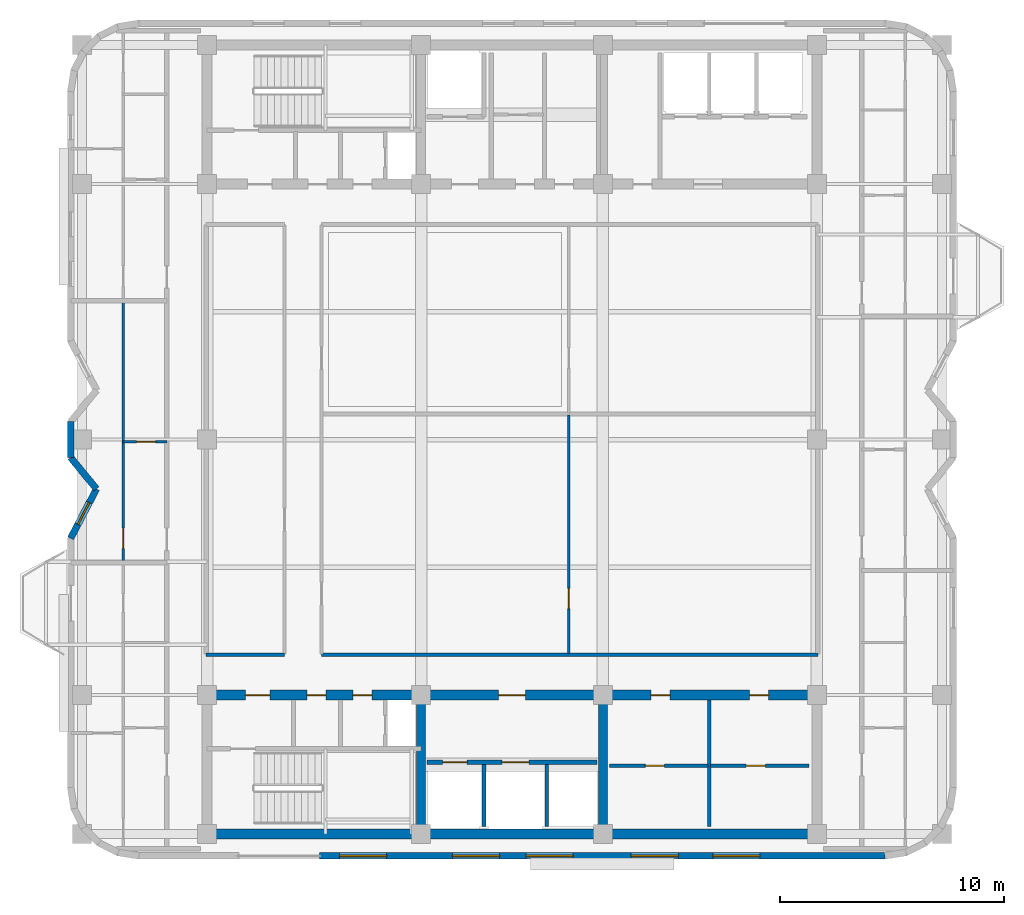
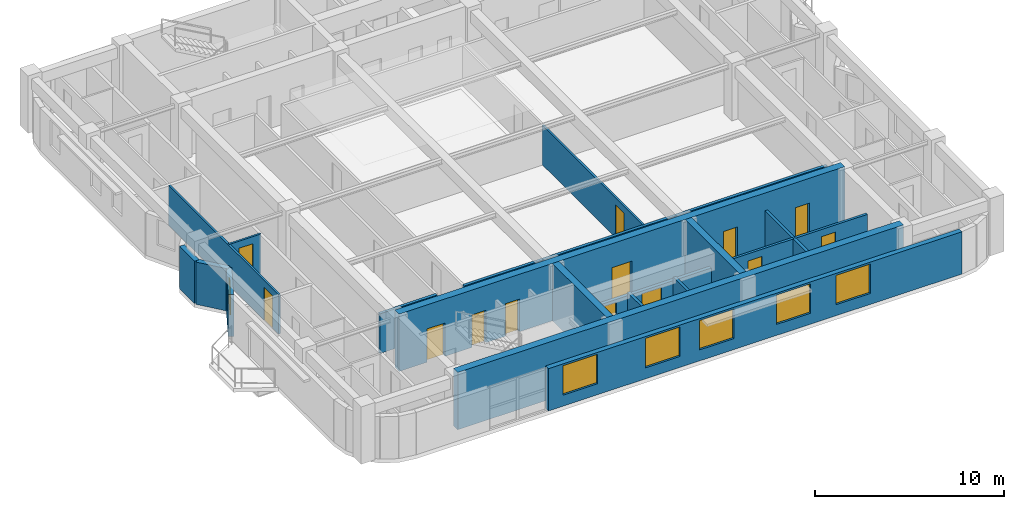
# One storey, part 6 of 12: 19 walls, 13 doors, 6 windows, 19 openings.
"""IFC4 building model written with IfcOpenShell, lengths in metres."""

from ifc_helpers import new_model, si_unit, direction, frame, frame_2d, origin, place, context, subcontext, project, spatial, rectangle, extrude, material, layer, layer_set, type_object, element, fill, save


model = new_model("IFC4")

# Units and contexts
model_context = context("Model", 3, precision=1e-05, world=origin(), true_north=direction((0.0, 1.0)))
body_context = subcontext(model_context, "Body", "Model", "MODEL_VIEW")
ifc_project = project(units=[si_unit("LENGTHUNIT", "METRE"), si_unit("AREAUNIT", "SQUARE_METRE"), si_unit("VOLUMEUNIT", "CUBIC_METRE"), si_unit("PLANEANGLEUNIT", "RADIAN"), si_unit("MASSUNIT", "GRAM", prefix="KILO")], contexts=[model_context])

# Site, building, storey
site_placement = place(None, origin())
site = spatial("IfcSite", under=ifc_project, at=site_placement, CompositionType="ELEMENT")
building_placement = place(site_placement, origin())
building = spatial("IfcBuilding", under=site, at=building_placement, Name="Svetorya Sky Lyceum", CompositionType="ELEMENT")
storey_placement = place(building_placement, frame((0.0, 0.0, 236.89990234375)))
storey = spatial("IfcBuildingStorey", under=building, at=storey_placement, Name="L59", CompositionType="ELEMENT", Elevation=236.89990234375)

# Walls
ifc_material_1 = material(Name="Concrete C40/50", Category="concrete")
ifc_layer_1 = layer(ifc_material_1, 0.39990234375)
ifc_layer_set_1 = layer_set([ifc_layer_1], Name="Concrete C40/50")
wall_type_1 = type_object("IfcWallType", Name="WL-CORE-400", PredefinedType="SHEAR", material=ifc_layer_set_1)
for number, where, z_axis, x_axis, name in (
    (1, (35.14990234375, 10.824951171875, 0.0), (0.0, 0.0, 1.0), (0.0, 1.0, 0.0), "L59 SC Internal Shear Web WEB1"),
    (2, (43.25, 10.824951171875, 0.0), (0.0, 0.0, 1.0), (0.0, 1.0, 0.0), "L59 SC Internal Shear Web WEB2"),
):
    element("IfcWall", number, at=place(storey_placement, frame(where, z_axis=z_axis, x_axis=x_axis)), inside=storey, type_object=wall_type_1, Name=name, PredefinedType="SHEAR", context=body_context, shape_type="SweptSolid", body=[
        extrude(rectangle(XDim=5.75, YDim=0.39990234375, at=frame_2d((2.875, 0.0))), origin(), (0.0, 0.0, 1.0), 3.7001953125),
    ])
ifc_material_2 = material(Name="Concrete C50/60", Category="concrete")
ifc_layer_2 = layer(ifc_material_2, 0.449951171875)
ifc_layer_set_2 = layer_set([ifc_layer_2], Name="Concrete C50/60")
wall_type_2 = type_object("IfcWallType", Name="WL-CORE-450", PredefinedType="SHEAR", material=ifc_layer_set_2)
wall_1_placement = place(storey_placement, frame((52.800048828125, 10.60009765625, 0.0), z_axis=(0.0, 0.0, 1.0), x_axis=(-1.0, 0.0, 0.0)))
element("IfcWall", 3, at=wall_1_placement, inside=storey, type_object=wall_type_2, Name="L59 SC Outer Core Shear Wall", PredefinedType="SHEAR", context=body_context, shape_type="SweptSolid", body=[
    extrude(rectangle(XDim=27.199951171875, YDim=0.449951171875, at=frame_2d((13.60009765625, 0.0))), origin(), (0.0, 0.0, 1.0), 3.7001953125),
])

# Wall, openings, doors
wall_2_placement = place(storey_placement, frame((25.60009765625, 16.800048828125, 0.0), z_axis=(0.0, 0.0, 1.0), x_axis=(1.0, 0.0, 0.0)))
wall_2 = element("IfcWall", 4, at=wall_2_placement, inside=storey, type_object=wall_type_2, Name="L59 SC Inner Core Shear Wall", PredefinedType="SHEAR", context=body_context, shape_type="SweptSolid", body=[
    extrude(rectangle(XDim=27.199951171875, YDim=0.449951171875, at=frame_2d((13.60009765625, 0.0))), origin(), (0.0, 0.0, 1.0), 3.7001953125),
])
opening_1_placement = place(wall_2_placement, frame((1.699951171875, 0.0, 0.0)))
opening_1 = element("IfcOpeningElement", 5, at=opening_1_placement, cuts=wall_2, Name="Opening D-ST1", PredefinedType="OPENING", context=body_context, shape_type="SweptSolid", body=[
    extrude(rectangle(XDim=1.10009765625, YDim=2.14990234375, at=frame_2d((0.550048828125, 1.074951171875))), frame((0.0, 0.23486328125, 0.0), z_axis=(0.0, -1.0, 0.0), x_axis=(1.0, 0.0, 0.0)), (0.0, 0.0, 1.0), 0.469970703125),
])
opening_2_placement = place(wall_2_placement, frame((4.449951171875, 0.0, 0.0)))
opening_2 = element("IfcOpeningElement", 6, at=opening_2_placement, cuts=wall_2, Name="Opening D-CWC1", PredefinedType="OPENING", context=body_context, shape_type="SweptSolid", body=[
    extrude(rectangle(XDim=0.85009765625, YDim=2.10009765625, at=frame_2d((0.425048828125, 1.050048828125))), frame((0.0, 0.23486328125, 0.0), z_axis=(0.0, -1.0, 0.0), x_axis=(1.0, 0.0, 0.0)), (0.0, 0.0, 1.0), 0.469970703125),
])
opening_3_placement = place(wall_2_placement, frame((6.5, 0.0, 0.0)))
opening_3 = element("IfcOpeningElement", 7, at=opening_3_placement, cuts=wall_2, Name="Opening D-CWC1", PredefinedType="OPENING", context=body_context, shape_type="SweptSolid", body=[
    extrude(rectangle(XDim=0.85009765625, YDim=2.10009765625, at=frame_2d((0.425048828125, 1.050048828125))), frame((0.0, 0.23486328125, 0.0), z_axis=(0.0, -1.0, 0.0), x_axis=(1.0, 0.0, 0.0)), (0.0, 0.0, 1.0), 0.469970703125),
])
opening_4_placement = place(wall_2_placement, frame((13.0, 0.0, 0.0)))
opening_4 = element("IfcOpeningElement", 8, at=opening_4_placement, cuts=wall_2, Name="Opening D-FL1", PredefinedType="OPENING", context=body_context, shape_type="SweptSolid", body=[
    extrude(rectangle(XDim=1.199951171875, YDim=2.14990234375, at=frame_2d((0.60009765625, 1.074951171875))), frame((0.0, 0.23486328125, 0.0), z_axis=(0.0, -1.0, 0.0), x_axis=(1.0, 0.0, 0.0)), (0.0, 0.0, 1.0), 0.469970703125),
])
opening_5_placement = place(wall_2_placement, frame((19.800048828125, 0.0, 0.0)))
opening_5 = element("IfcOpeningElement", 9, at=opening_5_placement, cuts=wall_2, Name="Opening D-CWC1", PredefinedType="OPENING", context=body_context, shape_type="SweptSolid", body=[
    extrude(rectangle(XDim=0.85009765625, YDim=2.10009765625, at=frame_2d((0.425048828125, 1.050048828125))), frame((0.0, 0.23486328125, 0.0), z_axis=(0.0, -1.0, 0.0), x_axis=(1.0, 0.0, 0.0)), (0.0, 0.0, 1.0), 0.469970703125),
])
opening_6_placement = place(wall_2_placement, frame((24.199951171875, 0.0, 0.0)))
opening_6 = element("IfcOpeningElement", 10, at=opening_6_placement, cuts=wall_2, Name="Opening D-CWC1", PredefinedType="OPENING", context=body_context, shape_type="SweptSolid", body=[
    extrude(rectangle(XDim=0.85009765625, YDim=2.10009765625, at=frame_2d((0.425048828125, 1.050048828125))), frame((0.0, 0.23486328125, 0.0), z_axis=(0.0, -1.0, 0.0), x_axis=(1.0, 0.0, 0.0)), (0.0, 0.0, 1.0), 0.469970703125),
])
ifc_material_3 = material(Name="Fire-rated galvanized steel core service closet door", Category="steel")
door_type_1 = type_object("IfcDoorType", Name="DR-CWET-850", OperationType="SINGLE_SWING_LEFT", PredefinedType="DOOR", material=ifc_material_3)
door_1_placement = place(opening_2_placement, origin())
door_1 = element("IfcDoor", 11, at=door_1_placement, inside=storey, type_object=door_type_1, Name="L59 South Mop Closet Door", OperationType="SINGLE_SWING_LEFT", OverallHeight=2.10009765625, OverallWidth=0.85009765625, PredefinedType="DOOR", context=body_context, shape_type="SweptSolid", body=[
    extrude(rectangle(XDim=0.85009765625, YDim=2.10009765625, at=frame_2d((0.425048828125, 1.050048828125))), frame((0.0, 0.02490234375, 0.0), z_axis=(0.0, -1.0, 0.0), x_axis=(1.0, 0.0, 0.0)), (0.0, 0.0, 1.0), 0.050048828125),
])
fill(opening_2, door_1)
door_2_placement = place(opening_3_placement, origin())
door_2 = element("IfcDoor", 12, at=door_2_placement, inside=storey, type_object=door_type_1, Name="L59 South West WC Door", OperationType="SINGLE_SWING_RIGHT", OverallHeight=2.10009765625, OverallWidth=0.85009765625, PredefinedType="DOOR", context=body_context, shape_type="SweptSolid", body=[
    extrude(rectangle(XDim=0.85009765625, YDim=2.10009765625, at=frame_2d((0.425048828125, 1.050048828125))), frame((0.0, 0.02490234375, 0.0), z_axis=(0.0, -1.0, 0.0), x_axis=(1.0, 0.0, 0.0)), (0.0, 0.0, 1.0), 0.050048828125),
])
fill(opening_3, door_2)
door_3_placement = place(opening_5_placement, origin())
door_3 = element("IfcDoor", 13, at=door_3_placement, inside=storey, type_object=door_type_1, Name="L59 Housekeeping Door", OperationType="SINGLE_SWING_LEFT", OverallHeight=2.10009765625, OverallWidth=0.85009765625, PredefinedType="DOOR", context=body_context, shape_type="SweptSolid", body=[
    extrude(rectangle(XDim=0.85009765625, YDim=2.10009765625, at=frame_2d((0.425048828125, 1.050048828125))), frame((0.0, 0.02490234375, 0.0), z_axis=(0.0, -1.0, 0.0), x_axis=(1.0, 0.0, 0.0)), (0.0, 0.0, 1.0), 0.050048828125),
])
fill(opening_5, door_3)
door_4_placement = place(opening_6_placement, origin())
door_4 = element("IfcDoor", 14, at=door_4_placement, inside=storey, type_object=door_type_1, Name="L59 South WC Door", OperationType="SINGLE_SWING_RIGHT", OverallHeight=2.10009765625, OverallWidth=0.85009765625, PredefinedType="DOOR", context=body_context, shape_type="SweptSolid", body=[
    extrude(rectangle(XDim=0.85009765625, YDim=2.10009765625, at=frame_2d((0.425048828125, 1.050048828125))), frame((0.0, 0.02490234375, 0.0), z_axis=(0.0, -1.0, 0.0), x_axis=(1.0, 0.0, 0.0)), (0.0, 0.0, 1.0), 0.050048828125),
])
fill(opening_6, door_4)
ifc_material_4 = material(Name="Powder-coated insulated galvanized stair fire door")
door_type_2 = type_object("IfcDoorType", Name="DR-FIRE-1100", OperationType="SINGLE_SWING_LEFT", PredefinedType="DOOR", material=ifc_material_4)
door_5_placement = place(opening_1_placement, origin())
door_5 = element("IfcDoor", 15, at=door_5_placement, inside=storey, type_object=door_type_2, Name="L59 South Stair Airlock Door", OperationType="SINGLE_SWING_RIGHT", OverallHeight=2.14990234375, OverallWidth=1.10009765625, PredefinedType="DOOR", context=body_context, shape_type="SweptSolid", body=[
    extrude(rectangle(XDim=1.10009765625, YDim=2.14990234375, at=frame_2d((0.550048828125, 1.074951171875))), frame((0.0, 0.02490234375, 0.0), z_axis=(0.0, -1.0, 0.0), x_axis=(1.0, 0.0, 0.0)), (0.0, 0.0, 1.0), 0.050048828125),
])
fill(opening_1, door_5)
ifc_material_5 = material(Name="Powder-coated insulated galvanized fire door")
door_type_3 = type_object("IfcDoorType", Name="DR-FIRE-1200", OperationType="SINGLE_SWING_LEFT", PredefinedType="DOOR", material=ifc_material_5)
door_6_placement = place(opening_4_placement, origin())
door_6 = element("IfcDoor", 16, at=door_6_placement, inside=storey, type_object=door_type_3, Name="L59 South Firefighting Lift Lobby Door", OperationType="SINGLE_SWING_LEFT", OverallHeight=2.14990234375, OverallWidth=1.199951171875, PredefinedType="DOOR", context=body_context, shape_type="SweptSolid", body=[
    extrude(rectangle(XDim=1.199951171875, YDim=2.14990234375, at=frame_2d((0.60009765625, 1.074951171875))), frame((0.0, 0.02490234375, 0.0), z_axis=(0.0, -1.0, 0.0), x_axis=(1.0, 0.0, 0.0)), (0.0, 0.0, 1.0), 0.050048828125),
])
fill(opening_4, door_6)

# Wall, openings, windows
ifc_material_6 = material(Name="Putilovo limestone rainscreen on autoclaved cellular masonry", Category="masonry")
ifc_layer_3 = layer(ifc_material_6, 0.300048828125)
ifc_layer_set_3 = layer_set([ifc_layer_3], Name="Putilovo limestone rainscreen on autoclaved cellular masonry")
wall_type_3 = type_object("IfcWallType", Name="WL-EXT-300", PredefinedType="SOLIDWALL", material=ifc_layer_set_3)
wall_3_placement = place(storey_placement, frame((30.610107421875, 9.6298828125, 0.0), z_axis=(0.0, 0.0, 1.0), x_axis=(1.0, 0.0, 0.0)))
wall_3 = element("IfcWall", 17, at=wall_3_placement, inside=storey, type_object=wall_type_3, Name="L59 Limestone Exterior Wall 6B", PredefinedType="SOLIDWALL", context=body_context, shape_type="SweptSolid", body=[
    extrude(rectangle(XDim=25.22998046875, YDim=0.300048828125, at=frame_2d((12.614990234375, 0.0))), origin(), (0.0, 0.0, 1.0), 2.72998046875),
])
opening_7_placement = place(wall_3_placement, frame((0.894287109375, 0.0, 0.7099609375)))
opening_7 = element("IfcOpeningElement", 18, at=opening_7_placement, cuts=wall_3, Name="Opening W-R0", PredefinedType="OPENING", context=body_context, shape_type="SweptSolid", body=[
    extrude(rectangle(XDim=2.10009765625, YDim=1.89990234375, at=frame_2d((1.050048828125, 0.949951171875))), frame((0.0, 0.159912109375, 0.0), z_axis=(0.0, -1.0, 0.0), x_axis=(1.0, 0.0, 0.0)), (0.0, 0.0, 1.0), 0.320068359375),
])
opening_8_placement = place(wall_3_placement, frame((5.9326171875, 0.0, 0.7099609375)))
opening_8 = element("IfcOpeningElement", 19, at=opening_8_placement, cuts=wall_3, Name="Opening W-R0", PredefinedType="OPENING", context=body_context, shape_type="SweptSolid", body=[
    extrude(rectangle(XDim=2.10009765625, YDim=1.89990234375, at=frame_2d((1.050048828125, 0.949951171875))), frame((0.0, 0.159912109375, 0.0), z_axis=(0.0, -1.0, 0.0), x_axis=(1.0, 0.0, 0.0)), (0.0, 0.0, 1.0), 0.320068359375),
])
opening_9_placement = place(wall_3_placement, frame((9.220703125, 0.0, 0.7099609375)))
opening_9 = element("IfcOpeningElement", 20, at=opening_9_placement, cuts=wall_3, Name="Opening W-R0", PredefinedType="OPENING", context=body_context, shape_type="SweptSolid", body=[
    extrude(rectangle(XDim=2.10009765625, YDim=1.89990234375, at=frame_2d((1.050048828125, 0.949951171875))), frame((0.0, 0.159912109375, 0.0), z_axis=(0.0, -1.0, 0.0), x_axis=(1.0, 0.0, 0.0)), (0.0, 0.0, 1.0), 0.320068359375),
])
opening_10_placement = place(wall_3_placement, frame((13.9091796875, 0.0, 0.7099609375)))
opening_10 = element("IfcOpeningElement", 21, at=opening_10_placement, cuts=wall_3, Name="Opening W-R0", PredefinedType="OPENING", context=body_context, shape_type="SweptSolid", body=[
    extrude(rectangle(XDim=2.10009765625, YDim=1.89990234375, at=frame_2d((1.050048828125, 0.949951171875))), frame((0.0, 0.159912109375, 0.0), z_axis=(0.0, -1.0, 0.0), x_axis=(1.0, 0.0, 0.0)), (0.0, 0.0, 1.0), 0.320068359375),
])
opening_11_placement = place(wall_3_placement, frame((17.547607421875, 0.0, 0.7099609375)))
opening_11 = element("IfcOpeningElement", 22, at=opening_11_placement, cuts=wall_3, Name="Opening W-R0", PredefinedType="OPENING", context=body_context, shape_type="SweptSolid", body=[
    extrude(rectangle(XDim=2.10009765625, YDim=1.89990234375, at=frame_2d((1.050048828125, 0.949951171875))), frame((0.0, 0.159912109375, 0.0), z_axis=(0.0, -1.0, 0.0), x_axis=(1.0, 0.0, 0.0)), (0.0, 0.0, 1.0), 0.320068359375),
])
ifc_material_7 = material(Name="Thermally broken aluminium frame with triple low-E glazing", Category="aluminium")
window_type_1 = type_object("IfcWindowType", Name="WN-RES-210", PartitioningType="TRIPLE_PANEL_VERTICAL", PredefinedType="WINDOW", material=ifc_material_7)
window_1_placement = place(opening_7_placement, origin())
window_1 = element("IfcWindow", 23, at=window_1_placement, inside=storey, type_object=window_type_1, Name="L59 Facade Window W-R0.6B.1", OverallHeight=1.89990234375, OverallWidth=2.10009765625, PartitioningType="SINGLE_PANEL", PredefinedType="WINDOW", context=body_context, shape_type="SweptSolid", body=[
    extrude(rectangle(XDim=2.10009765625, YDim=1.89990234375, at=frame_2d((1.050048828125, 0.949951171875))), frame((0.0, 0.030029296875, 0.0), z_axis=(0.0, -1.0, 0.0), x_axis=(1.0, 0.0, 0.0)), (0.0, 0.0, 1.0), 0.06005859375),
])
fill(opening_7, window_1)
window_2_placement = place(opening_8_placement, origin())
window_2 = element("IfcWindow", 24, at=window_2_placement, inside=storey, type_object=window_type_1, Name="L59 Facade Window W-R0.6B.2", OverallHeight=1.89990234375, OverallWidth=2.10009765625, PartitioningType="SINGLE_PANEL", PredefinedType="WINDOW", context=body_context, shape_type="SweptSolid", body=[
    extrude(rectangle(XDim=2.10009765625, YDim=1.89990234375, at=frame_2d((1.050048828125, 0.949951171875))), frame((0.0, 0.030029296875, 0.0), z_axis=(0.0, -1.0, 0.0), x_axis=(1.0, 0.0, 0.0)), (0.0, 0.0, 1.0), 0.06005859375),
])
fill(opening_8, window_2)
window_3_placement = place(opening_9_placement, origin())
window_3 = element("IfcWindow", 25, at=window_3_placement, inside=storey, type_object=window_type_1, Name="L59 Facade Window W-R0.6B.3", OverallHeight=1.89990234375, OverallWidth=2.10009765625, PartitioningType="SINGLE_PANEL", PredefinedType="WINDOW", context=body_context, shape_type="SweptSolid", body=[
    extrude(rectangle(XDim=2.10009765625, YDim=1.89990234375, at=frame_2d((1.050048828125, 0.949951171875))), frame((0.0, 0.030029296875, 0.0), z_axis=(0.0, -1.0, 0.0), x_axis=(1.0, 0.0, 0.0)), (0.0, 0.0, 1.0), 0.06005859375),
])
fill(opening_9, window_3)
window_4_placement = place(opening_10_placement, origin())
window_4 = element("IfcWindow", 26, at=window_4_placement, inside=storey, type_object=window_type_1, Name="L59 Facade Window W-R0.6B.4", OverallHeight=1.89990234375, OverallWidth=2.10009765625, PartitioningType="SINGLE_PANEL", PredefinedType="WINDOW", context=body_context, shape_type="SweptSolid", body=[
    extrude(rectangle(XDim=2.10009765625, YDim=1.89990234375, at=frame_2d((1.050048828125, 0.949951171875))), frame((0.0, 0.030029296875, 0.0), z_axis=(0.0, -1.0, 0.0), x_axis=(1.0, 0.0, 0.0)), (0.0, 0.0, 1.0), 0.06005859375),
])
fill(opening_10, window_4)
window_5_placement = place(opening_11_placement, origin())
window_5 = element("IfcWindow", 27, at=window_5_placement, inside=storey, type_object=window_type_1, Name="L59 Facade Window W-R0.6B.5", OverallHeight=1.89990234375, OverallWidth=2.10009765625, PartitioningType="SINGLE_PANEL", PredefinedType="WINDOW", context=body_context, shape_type="SweptSolid", body=[
    extrude(rectangle(XDim=2.10009765625, YDim=1.89990234375, at=frame_2d((1.050048828125, 0.949951171875))), frame((0.0, 0.030029296875, 0.0), z_axis=(0.0, -1.0, 0.0), x_axis=(1.0, 0.0, 0.0)), (0.0, 0.0, 1.0), 0.06005859375),
])
fill(opening_11, window_5)

# Walls
wall_4_placement = place(storey_placement, frame((19.510009765625, 29.0, 0.0), z_axis=(0.0, 0.0, 1.0), x_axis=(0.0, -1.0, 0.0)))
element("IfcWall", 28, at=wall_4_placement, inside=storey, type_object=wall_type_3, Name="L59 Limestone Exterior Wall 33M", PredefinedType="SOLIDWALL", context=body_context, shape_type="SweptSolid", body=[
    extrude(rectangle(XDim=1.60009765625, YDim=0.300048828125, at=frame_2d((0.800048828125, 0.0))), origin(), (0.0, 0.0, 1.0), 2.72998046875),
])
wall_5_placement = place(storey_placement, frame((19.510009765625, 27.39990234375, 0.0), z_axis=(0.0, 0.0, 1.0), x_axis=(0.634733675645, -0.772730975827, 0.0)))
element("IfcWall", 29, at=wall_5_placement, inside=storey, type_object=wall_type_3, Name="L59 Limestone Exterior Wall 34M", PredefinedType="SOLIDWALL", context=body_context, shape_type="SweptSolid", body=[
    extrude(rectangle(XDim=1.8115234375, YDim=0.300048828125, at=frame_2d((0.90576171875, 0.0))), origin(), (0.0, 0.0, 1.0), 2.72998046875),
])

# Wall, opening, window
wall_6_placement = place(storey_placement, frame((20.659912109375, 26.0, 0.0), z_axis=(0.0, 0.0, 1.0), x_axis=(-0.46323138706, -0.886237373418, 0.0)))
wall_6 = element("IfcWall", 30, at=wall_6_placement, inside=storey, type_object=wall_type_3, Name="L59 Limestone Exterior Wall 35M", PredefinedType="SOLIDWALL", context=body_context, shape_type="SweptSolid", body=[
    extrude(rectangle(XDim=2.482421875, YDim=0.300048828125, at=frame_2d((1.2412109375, 0.0))), origin(), (0.0, 0.0, 1.0), 2.72998046875),
])
opening_12_placement = place(wall_6_placement, frame((0.691162109375, 0.0, 0.919921875)))
opening_12 = element("IfcOpeningElement", 31, at=opening_12_placement, cuts=wall_6, Name="Opening W-R3", PredefinedType="OPENING", context=body_context, shape_type="SweptSolid", body=[
    extrude(rectangle(XDim=1.10009765625, YDim=1.64990234375, at=frame_2d((0.550048828125, 0.824951171875))), frame((0.0, 0.159912109375, 0.0), z_axis=(0.0, -1.0, 0.0), x_axis=(1.0, 0.0, 0.0)), (0.0, 0.0, 1.0), 0.320068359375),
])
window_type_2 = type_object("IfcWindowType", Name="WN-RES-110", PartitioningType="SINGLE_PANEL", PredefinedType="WINDOW", material=ifc_material_7)
window_6_placement = place(opening_12_placement, origin())
window_6 = element("IfcWindow", 32, at=window_6_placement, inside=storey, type_object=window_type_2, Name="L59 Facade Window W-R3.35M.1", OverallHeight=1.64990234375, OverallWidth=1.10009765625, PartitioningType="SINGLE_PANEL", PredefinedType="WINDOW", context=body_context, shape_type="SweptSolid", body=[
    extrude(rectangle(XDim=1.10009765625, YDim=1.64990234375, at=frame_2d((0.550048828125, 0.824951171875))), frame((0.0, 0.030029296875, 0.0), z_axis=(0.0, -1.0, 0.0), x_axis=(1.0, 0.0, 0.0)), (0.0, 0.0, 1.0), 0.06005859375),
])
fill(opening_12, window_6)

# Wall, opening, door
ifc_material_8 = material(Name="Twin-stud galvanized framing with double fireboard", Category="gypsum")
ifc_layer_4 = layer(ifc_material_8, 0.1201171875)
ifc_layer_set_4 = layer_set([ifc_layer_4], Name="Twin-stud galvanized framing with double fireboard")
wall_type_4 = type_object("IfcWallType", Name="WL-PART-120", PredefinedType="PARTITIONING", material=ifc_layer_set_4)
wall_7_placement = place(storey_placement, frame((41.735107421875, 18.659912109375, 0.0), z_axis=(0.0, 0.0, 1.0), x_axis=(0.0, 1.0, 0.0)))
wall_7 = element("IfcWall", 33, at=wall_7_placement, inside=storey, type_object=wall_type_4, Name="L59 Interior Partition OFF-VEM1", PredefinedType="PARTITIONING", context=body_context, shape_type="SweptSolid", body=[
    extrude(rectangle(XDim=10.6484375, YDim=0.1201171875, at=frame_2d((5.32421875, 0.0))), origin(), (0.0, 0.0, 1.0), 2.56005859375),
])
opening_13_placement = place(wall_7_placement, frame((2.0, 0.0, 0.0)))
opening_13 = element("IfcOpeningElement", 34, at=opening_13_placement, cuts=wall_7, Name="Opening D-RM1", PredefinedType="OPENING", context=body_context, shape_type="SweptSolid", body=[
    extrude(rectangle(XDim=0.89990234375, YDim=2.10009765625, at=frame_2d((0.449951171875, 1.050048828125))), frame((0.0, 0.070068359375, 0.0), z_axis=(0.0, -1.0, 0.0), x_axis=(1.0, 0.0, 0.0)), (0.0, 0.0, 1.0), 0.14013671875),
])
ifc_material_9 = material(Name="Lacquered birch veneer internal door")
door_type_4 = type_object("IfcDoorType", Name="DR-INT-900", OperationType="SINGLE_SWING_LEFT", PredefinedType="DOOR", material=ifc_material_9)
door_7_placement = place(opening_13_placement, origin())
door_7 = element("IfcDoor", 35, at=door_7_placement, inside=storey, type_object=door_type_4, Name="L59 East Study Door", OperationType="SINGLE_SWING_LEFT", OverallHeight=2.10009765625, OverallWidth=0.89990234375, PredefinedType="DOOR", context=body_context, shape_type="SweptSolid", body=[
    extrude(rectangle(XDim=0.89990234375, YDim=2.10009765625, at=frame_2d((0.449951171875, 1.050048828125))), frame((0.0, 0.02490234375, 0.0), z_axis=(0.0, -1.0, 0.0), x_axis=(1.0, 0.0, 0.0)), (0.0, 0.0, 1.0), 0.050048828125),
])
fill(opening_13, door_7)

wall_8_placement = place(storey_placement, frame((21.85009765625, 28.10009765625, 0.0), z_axis=(0.0, 0.0, 1.0), x_axis=(1.0, 0.0, 0.0)))
wall_8 = element("IfcWall", 36, at=wall_8_placement, inside=storey, type_object=wall_type_4, Name="L59 Interior Partition W2-WH1", PredefinedType="PARTITIONING", context=body_context, shape_type="SweptSolid", body=[
    extrude(rectangle(XDim=1.949951171875, YDim=0.1201171875, at=frame_2d((0.97509765625, 0.0))), origin(), (0.0, 0.0, 1.0), 2.56005859375),
])
opening_14_placement = place(wall_8_placement, frame((0.60009765625, 0.0, 0.0)))
opening_14 = element("IfcOpeningElement", 37, at=opening_14_placement, cuts=wall_8, Name="Opening D-BT1", PredefinedType="OPENING", context=body_context, shape_type="SweptSolid", body=[
    extrude(rectangle(XDim=0.85009765625, YDim=2.10009765625, at=frame_2d((0.425048828125, 1.050048828125))), frame((0.0, 0.070068359375, 0.0), z_axis=(0.0, -1.0, 0.0), x_axis=(1.0, 0.0, 0.0)), (0.0, 0.0, 1.0), 0.14013671875),
])
ifc_material_10 = material(Name="Moisture-resistant laminate bathroom door")
door_type_5 = type_object("IfcDoorType", Name="DR-WET-850", OperationType="SINGLE_SWING_LEFT", PredefinedType="DOOR", material=ifc_material_10)
door_8_placement = place(opening_14_placement, origin())
door_8 = element("IfcDoor", 38, at=door_8_placement, inside=storey, type_object=door_type_5, Name="Apartment W2 Bathroom Door", OperationType="SINGLE_SWING_RIGHT", OverallHeight=2.10009765625, OverallWidth=0.85009765625, PredefinedType="DOOR", context=body_context, shape_type="SweptSolid", body=[
    extrude(rectangle(XDim=0.85009765625, YDim=2.10009765625, at=frame_2d((0.425048828125, 1.050048828125))), frame((0.0, 0.02490234375, 0.0), z_axis=(0.0, -1.0, 0.0), x_axis=(1.0, 0.0, 0.0)), (0.0, 0.0, 1.0), 0.050048828125),
])
fill(opening_14, door_8)

wall_9_placement = place(storey_placement, frame((21.85009765625, 22.739990234375, 0.0), z_axis=(0.0, 0.0, 1.0), x_axis=(0.0, 1.0, 0.0)))
wall_9 = element("IfcWall", 39, at=wall_9_placement, inside=storey, type_object=wall_type_4, Name="L59 Interior Partition W2-WV", PredefinedType="PARTITIONING", context=body_context, shape_type="SweptSolid", body=[
    extrude(rectangle(XDim=11.625, YDim=0.1201171875, at=frame_2d((5.8125, 0.0))), origin(), (0.0, 0.0, 1.0), 2.56005859375),
])
opening_15_placement = place(wall_9_placement, frame((0.610107421875, 0.0, 0.0)))
opening_15 = element("IfcOpeningElement", 40, at=opening_15_placement, cuts=wall_9, Name="Opening D-RM1", PredefinedType="OPENING", context=body_context, shape_type="SweptSolid", body=[
    extrude(rectangle(XDim=0.89990234375, YDim=2.10009765625, at=frame_2d((0.449951171875, 1.050048828125))), frame((0.0, 0.070068359375, 0.0), z_axis=(0.0, -1.0, 0.0), x_axis=(1.0, 0.0, 0.0)), (0.0, 0.0, 1.0), 0.14013671875),
])
door_9_placement = place(opening_15_placement, origin())
door_9 = element("IfcDoor", 41, at=door_9_placement, inside=storey, type_object=door_type_4, Name="Apartment W2 Living Door", OperationType="SINGLE_SWING_LEFT", OverallHeight=2.10009765625, OverallWidth=0.89990234375, PredefinedType="DOOR", context=body_context, shape_type="SweptSolid", body=[
    extrude(rectangle(XDim=0.89990234375, YDim=2.10009765625, at=frame_2d((0.449951171875, 1.050048828125))), frame((0.0, 0.02490234375, 0.0), z_axis=(0.0, -1.0, 0.0), x_axis=(1.0, 0.0, 0.0)), (0.0, 0.0, 1.0), 0.050048828125),
])
fill(opening_15, door_9)

ifc_material_11 = material(Name="Autoclaved cellular masonry blockwork with acoustic render", Category="masonry")
ifc_layer_5 = layer(ifc_material_11, 0.14990234375)
ifc_layer_set_5 = layer_set([ifc_layer_5], Name="Autoclaved cellular masonry blockwork with acoustic render")
wall_type_5 = type_object("IfcWallType", Name="WL-PART-150", PredefinedType="PARTITIONING", material=ifc_layer_set_5)
wall_10_placement = place(storey_placement, frame((43.550048828125, 13.64990234375, 0.0), z_axis=(0.0, 0.0, 1.0), x_axis=(1.0, 0.0, 0.0)))
wall_10 = element("IfcWall", 42, at=wall_10_placement, inside=storey, type_object=wall_type_5, Name="L59 Interior Partition SC-LV7-HW", PredefinedType="PARTITIONING", context=body_context, shape_type="SweptSolid", body=[
    extrude(rectangle(XDim=4.39990234375, YDim=0.14990234375, at=frame_2d((2.199951171875, 0.0))), origin(), (0.0, 0.0, 1.0), 2.56005859375),
])
opening_16_placement = place(wall_10_placement, frame((1.60009765625, 0.0, 0.0)))
opening_16 = element("IfcOpeningElement", 43, at=opening_16_placement, cuts=wall_10, Name="Opening D-CWC1", PredefinedType="OPENING", context=body_context, shape_type="SweptSolid", body=[
    extrude(rectangle(XDim=0.85009765625, YDim=2.10009765625, at=frame_2d((0.425048828125, 1.050048828125))), frame((0.0, 0.0849609375, 0.0), z_axis=(0.0, -1.0, 0.0), x_axis=(1.0, 0.0, 0.0)), (0.0, 0.0, 1.0), 0.169921875),
])
door_10_placement = place(opening_16_placement, origin())
door_10 = element("IfcDoor", 44, at=door_10_placement, inside=storey, type_object=door_type_1, Name="L59 South Electrical Room Door", OperationType="SINGLE_SWING_LEFT", OverallHeight=2.10009765625, OverallWidth=0.85009765625, PredefinedType="DOOR", context=body_context, shape_type="SweptSolid", body=[
    extrude(rectangle(XDim=0.85009765625, YDim=2.10009765625, at=frame_2d((0.425048828125, 1.050048828125))), frame((0.0, 0.02490234375, 0.0), z_axis=(0.0, -1.0, 0.0), x_axis=(1.0, 0.0, 0.0)), (0.0, 0.0, 1.0), 0.050048828125),
])
fill(opening_16, door_10)

wall_11_placement = place(storey_placement, frame((48.050048828125, 13.64990234375, 0.0), z_axis=(0.0, 0.0, 1.0), x_axis=(1.0, 0.0, 0.0)))
wall_11 = element("IfcWall", 45, at=wall_11_placement, inside=storey, type_object=wall_type_5, Name="L59 Interior Partition SC-LV7-HE", PredefinedType="PARTITIONING", context=body_context, shape_type="SweptSolid", body=[
    extrude(rectangle(XDim=4.39990234375, YDim=0.14990234375, at=frame_2d((2.199951171875, 0.0))), origin(), (0.0, 0.0, 1.0), 2.56005859375),
])
opening_17_placement = place(wall_11_placement, frame((1.60009765625, 0.0, 0.0)))
opening_17 = element("IfcOpeningElement", 46, at=opening_17_placement, cuts=wall_11, Name="Opening D-CWC1", PredefinedType="OPENING", context=body_context, shape_type="SweptSolid", body=[
    extrude(rectangle(XDim=0.85009765625, YDim=2.10009765625, at=frame_2d((0.425048828125, 1.050048828125))), frame((0.0, 0.0849609375, 0.0), z_axis=(0.0, -1.0, 0.0), x_axis=(1.0, 0.0, 0.0)), (0.0, 0.0, 1.0), 0.169921875),
])
door_11_placement = place(opening_17_placement, origin())
door_11 = element("IfcDoor", 47, at=door_11_placement, inside=storey, type_object=door_type_1, Name="L59 South Server Closet Door", OperationType="SINGLE_SWING_RIGHT", OverallHeight=2.10009765625, OverallWidth=0.85009765625, PredefinedType="DOOR", context=body_context, shape_type="SweptSolid", body=[
    extrude(rectangle(XDim=0.85009765625, YDim=2.10009765625, at=frame_2d((0.425048828125, 1.050048828125))), frame((0.0, 0.02490234375, 0.0), z_axis=(0.0, -1.0, 0.0), x_axis=(1.0, 0.0, 0.0)), (0.0, 0.0, 1.0), 0.050048828125),
])
fill(opening_17, door_11)

# Walls
ifc_material_12 = material(Name="Autoclaved cellular masonry blockwork with fire render", Category="masonry")
ifc_layer_6 = layer(ifc_material_12, 0.175048828125)
ifc_layer_set_6 = layer_set([ifc_layer_6], Name="Autoclaved cellular masonry blockwork with fire render")
wall_type_6 = type_object("IfcWallType", Name="WL-PART-175", PredefinedType="PARTITIONING", material=ifc_layer_set_6)
for number, where, z_axis, x_axis, name in (
    (48, (37.949951171875, 10.949951171875, 0.0), (0.0, 0.0, 1.0), (0.0, 1.0, 0.0), "L59 Interior Partition SC-SHD1"),
    (49, (40.75, 10.949951171875, 0.0), (0.0, 0.0, 1.0), (0.0, 1.0, 0.0), "L59 Interior Partition SC-SHD2"),
):
    element("IfcWall", number, at=place(storey_placement, frame(where, z_axis=z_axis, x_axis=x_axis)), inside=storey, type_object=wall_type_6, Name=name, PredefinedType="PARTITIONING", context=body_context, shape_type="SweptSolid", body=[
        extrude(rectangle(XDim=2.75, YDim=0.175048828125, at=frame_2d((1.375, 0.0))), origin(), (0.0, 0.0, 1.0), 2.56005859375),
    ])
wall_12_placement = place(storey_placement, frame((48.0, 10.949951171875, 0.0), z_axis=(0.0, 0.0, 1.0), x_axis=(0.0, 1.0, 0.0)))
element("IfcWall", 50, at=wall_12_placement, inside=storey, type_object=wall_type_6, Name="L59 Interior Partition SC-LV7-V", PredefinedType="PARTITIONING", context=body_context, shape_type="SweptSolid", body=[
    extrude(rectangle(XDim=5.630126953125, YDim=0.175048828125, at=frame_2d((2.81494140625, 0.0))), origin(), (0.0, 0.0, 1.0), 2.56005859375),
])
wall_13_placement = place(storey_placement, frame((25.550048828125, 18.60009765625, 0.0), z_axis=(0.0, 0.0, 1.0), x_axis=(1.0, 0.0, 0.0)))
element("IfcWall", 51, at=wall_13_placement, inside=storey, type_object=wall_type_6, Name="L59 Interior Partition OFF-CS-W", PredefinedType="PARTITIONING", context=body_context, shape_type="SweptSolid", body=[
    extrude(rectangle(XDim=3.5, YDim=0.175048828125, at=frame_2d((1.75, 0.0))), origin(), (0.0, 0.0, 1.0), 2.56005859375),
])
wall_14_placement = place(storey_placement, frame((30.699951171875, 18.60009765625, 0.0), z_axis=(0.0, 0.0, 1.0), x_axis=(1.0, 0.0, 0.0)))
element("IfcWall", 52, at=wall_14_placement, inside=storey, type_object=wall_type_6, Name="L59 Interior Partition OFF-CS-E", PredefinedType="PARTITIONING", context=body_context, shape_type="SweptSolid", body=[
    extrude(rectangle(XDim=22.150146484375, YDim=0.175048828125, at=frame_2d((11.0751953125, 0.0))), origin(), (0.0, 0.0, 1.0), 2.56005859375),
])

# Wall, openings, doors
ifc_material_13 = material(Name="Autoclaved cellular masonry blockwork with gypsum plaster", Category="masonry")
ifc_layer_7 = layer(ifc_material_13, 0.199951171875)
ifc_layer_set_7 = layer_set([ifc_layer_7], Name="Autoclaved cellular masonry blockwork with gypsum plaster")
wall_type_7 = type_object("IfcWallType", Name="WL-PART-200", PredefinedType="PARTITIONING", material=ifc_layer_set_7)
wall_15_placement = place(storey_placement, frame((35.39990234375, 13.800048828125, 0.0), z_axis=(0.0, 0.0, 1.0), x_axis=(1.0, 0.0, 0.0)))
wall_15 = element("IfcWall", 53, at=wall_15_placement, inside=storey, type_object=wall_type_7, Name="L59 Interior Partition SC-FLW", PredefinedType="PARTITIONING", context=body_context, shape_type="SweptSolid", body=[
    extrude(rectangle(XDim=7.60009765625, YDim=0.199951171875, at=frame_2d((3.800048828125, 0.0))), origin(), (0.0, 0.0, 1.0), 2.330078125),
])
opening_18_placement = place(wall_15_placement, frame((0.699951171875, 0.0, 0.0)))
opening_18 = element("IfcOpeningElement", 54, at=opening_18_placement, cuts=wall_15, Name="Opening LD-FL", PredefinedType="OPENING", context=body_context, shape_type="SweptSolid", body=[
    extrude(rectangle(XDim=1.10009765625, YDim=2.14990234375, at=frame_2d((0.550048828125, 1.074951171875))), frame((0.0, 0.10986328125, 0.0), z_axis=(0.0, -1.0, 0.0), x_axis=(1.0, 0.0, 0.0)), (0.0, 0.0, 1.0), 0.219970703125),
])
opening_19_placement = place(wall_15_placement, frame((3.35009765625, 0.0, 0.0)))
opening_19 = element("IfcOpeningElement", 55, at=opening_19_placement, cuts=wall_15, Name="Opening LD-SV", PredefinedType="OPENING", context=body_context, shape_type="SweptSolid", body=[
    extrude(rectangle(XDim=1.199951171875, YDim=2.14990234375, at=frame_2d((0.60009765625, 1.074951171875))), frame((0.0, 0.10986328125, 0.0), z_axis=(0.0, -1.0, 0.0), x_axis=(1.0, 0.0, 0.0)), (0.0, 0.0, 1.0), 0.219970703125),
])
ifc_material_14 = material(Name="Fire-rated stainless AISI 304 firefighting lift landing door")
door_type_6 = type_object("IfcDoorType", Name="DR-LIFT-1100", OperationType="SLIDING_TO_LEFT", PredefinedType="DOOR", material=ifc_material_14)
door_12_placement = place(opening_18_placement, origin())
door_12 = element("IfcDoor", 56, at=door_12_placement, inside=storey, type_object=door_type_6, Name="L59 Firefighting Lift FL2 Landing Door", OperationType="SLIDING_TO_LEFT", OverallHeight=2.14990234375, OverallWidth=1.10009765625, PredefinedType="DOOR", context=body_context, shape_type="SweptSolid", body=[
    extrude(rectangle(XDim=1.10009765625, YDim=2.14990234375, at=frame_2d((0.550048828125, 1.074951171875))), frame((0.0, 0.02490234375, 0.0), z_axis=(0.0, -1.0, 0.0), x_axis=(1.0, 0.0, 0.0)), (0.0, 0.0, 1.0), 0.050048828125),
])
fill(opening_18, door_12)
ifc_material_15 = material(Name="Brushed stainless AISI 304 telescopic lift landing door")
door_type_7 = type_object("IfcDoorType", Name="DR-LIFT-1200", OperationType="SLIDING_TO_LEFT", PredefinedType="DOOR", material=ifc_material_15)
door_13_placement = place(opening_19_placement, origin())
door_13 = element("IfcDoor", 57, at=door_13_placement, inside=storey, type_object=door_type_7, Name="L59 Service Lift SVL1 Landing Door", OperationType="SLIDING_TO_LEFT", OverallHeight=2.14990234375, OverallWidth=1.199951171875, PredefinedType="DOOR", context=body_context, shape_type="SweptSolid", body=[
    extrude(rectangle(XDim=1.199951171875, YDim=2.14990234375, at=frame_2d((0.60009765625, 1.074951171875))), frame((0.0, 0.02490234375, 0.0), z_axis=(0.0, -1.0, 0.0), x_axis=(1.0, 0.0, 0.0)), (0.0, 0.0, 1.0), 0.050048828125),
])
fill(opening_19, door_13)

save(model, "model.ifc")
